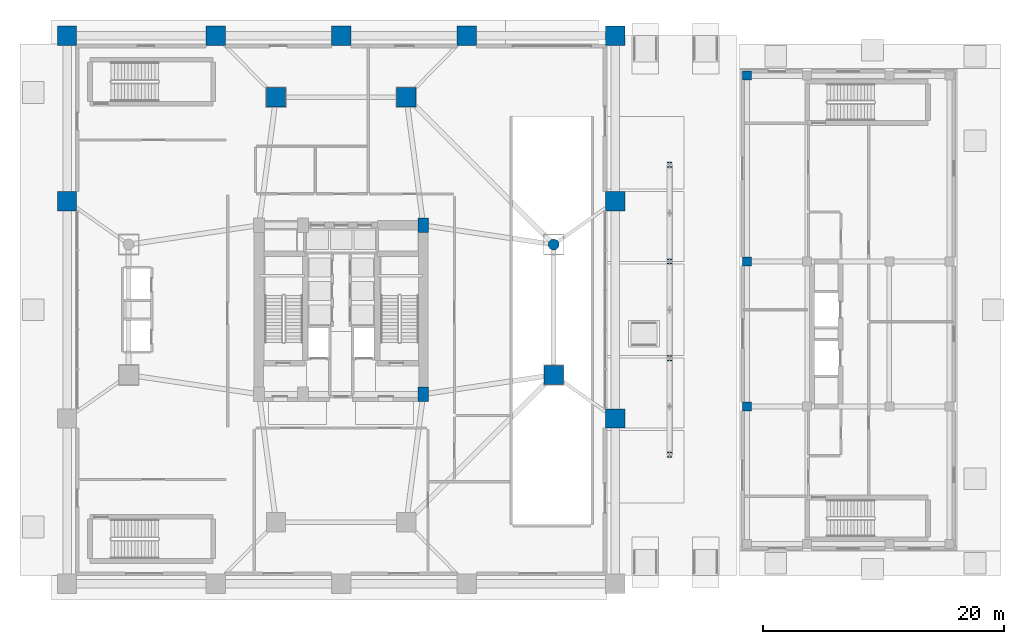
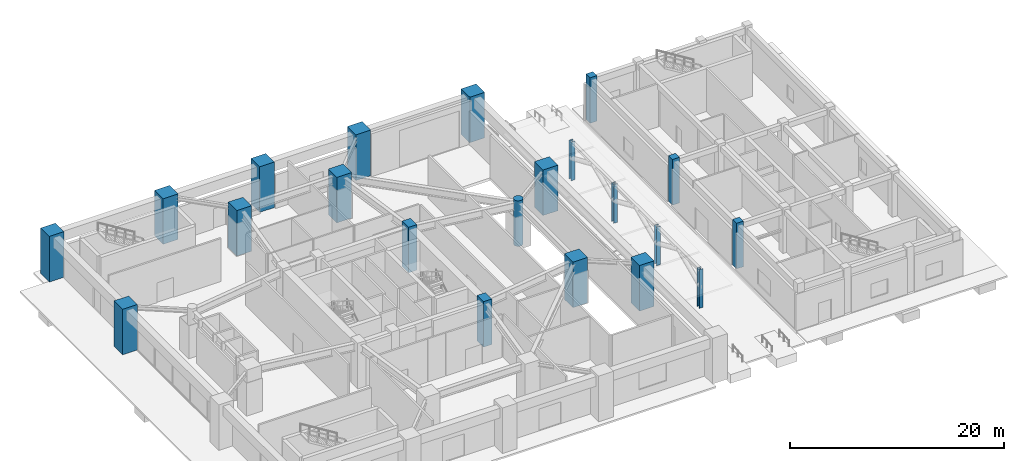
# One storey, part 2 of 27: 21 columns.
"""IFC4 building model written with IfcOpenShell, lengths in metres."""

from ifc_helpers import new_model, si_unit, direction, frame, origin, origin_2d, place, context, subcontext, project, spatial, rectangle, circle, i_section, extrude, material, material_profile, profile_set, type_object, element, save


model = new_model("IFC4")

# Units and contexts
model_context = context("Model", 3, precision=1e-05, world=origin(), true_north=direction((0.0, 1.0)))
body_context = subcontext(model_context, "Body", "Model", "MODEL_VIEW")
ifc_project = project(units=[si_unit("LENGTHUNIT", "METRE"), si_unit("AREAUNIT", "SQUARE_METRE"), si_unit("VOLUMEUNIT", "CUBIC_METRE"), si_unit("PLANEANGLEUNIT", "RADIAN"), si_unit("MASSUNIT", "GRAM", prefix="KILO")], contexts=[model_context])

# Site, building, storey
site_placement = place(None, origin())
site = spatial("IfcSite", under=ifc_project, at=site_placement, CompositionType="ELEMENT")
building_placement = place(site_placement, origin())
building = spatial("IfcBuilding", under=site, at=building_placement, Name="Veraguas Prism Commons", CompositionType="ELEMENT")
storey_placement = place(building_placement, origin())
storey = spatial("IfcBuildingStorey", under=building, at=storey_placement, Name="L00", CompositionType="ELEMENT", Elevation=0.0)

# Columns
ifc_material_1 = material(Name="Concrete C50/60", Category="concrete")
ifc_material_profile_1 = material_profile(ifc_material_1, rectangle(XDim=0.75, YDim=0.75, at=origin_2d()), Name="RC750X750")
ifc_profile_set_1 = profile_set([ifc_material_profile_1], Name="Concrete C50/60")
column_type_1 = type_object("IfcColumnType", Name="Column Clinic RC 750x750", PredefinedType="COLUMN", material=ifc_profile_set_1)
for number, where, z_axis, x_axis, name in (
    (1, (57.60009765625, 16.0, 0.0), (0.0, 0.0, 1.0), (1.0, 0.0, 0.0), "Health Centre Column L00-HC02"),
    (2, (57.60009765625, 28.0, 0.0), (0.0, 0.0, 1.0), (1.0, 0.0, 0.0), "Health Centre Column L00-HC03"),
    (3, (57.60009765625, 43.39990234375, 0.0), (0.0, 0.0, 1.0), (1.0, 0.0, 0.0), "Health Centre Column L00-HC04"),
):
    element("IfcColumn", number, at=place(storey_placement, frame(where, z_axis=z_axis, x_axis=x_axis)), inside=storey, type_object=column_type_1, Name=name, PredefinedType="COLUMN", context=body_context, shape_type="SweptSolid", body=[
        extrude(rectangle(XDim=0.75, YDim=0.75, at=origin_2d()), origin(), (0.0, 0.0, 1.0), 5.199951171875),
    ])
ifc_material_2 = material(Name="Concrete C60/75", Category="concrete")
ifc_material_profile_2 = material_profile(ifc_material_2, circle(Radius=0.449951171875, at=origin_2d()), Name="RC900DIA")
ifc_profile_set_2 = profile_set([ifc_material_profile_2], Name="Concrete C60/75")
column_type_2 = type_object("IfcColumnType", Name="Column Concourse RC D900", PredefinedType="COLUMN", material=ifc_profile_set_2)
column_placement = place(storey_placement, frame((41.60009765625, 29.39990234375, 0.0), z_axis=(0.0, 0.0, 1.0), x_axis=(1.0, 0.0, 0.0)))
element("IfcColumn", 4, at=column_placement, inside=storey, type_object=column_type_2, Name="Tower Mega Column L00-TM02", PredefinedType="COLUMN", context=body_context, shape_type="SweptSolid", body=[
    extrude(circle(Radius=0.449951171875, at=origin_2d()), origin(), (0.0, 0.0, 1.0), 5.199951171875),
])
ifc_material_3 = material(Name="Steel ASTM A992 Grade 50", Category="steel")
ifc_material_profile_3 = material_profile(ifc_material_3, i_section(OverallWidth=0.404052734375, OverallDepth=0.406982421875, WebThickness=0.025146484375, FlangeThickness=0.040283203125, at=origin_2d()), Name="W360X347")
ifc_profile_set_3 = profile_set([ifc_material_profile_3], Name="Steel ASTM A992 Grade 50")
column_type_3 = type_object("IfcColumnType", Name="Column Crown Portal W360x347", PredefinedType="COLUMN", material=ifc_profile_set_3)
for number, where, z_axis, x_axis, name in (
    (5, (51.199951171875, 12.0, 0.0), (0.0, 0.0, 1.0), (1.0, 0.0, 0.0), "Plaza Canopy Column L00-CN01"),
    (6, (51.199951171875, 20.0, 0.0), (0.0, 0.0, 1.0), (1.0, 0.0, 0.0), "Plaza Canopy Column L00-CN02"),
    (7, (51.199951171875, 28.0, 0.0), (0.0, 0.0, 1.0), (1.0, 0.0, 0.0), "Plaza Canopy Column L00-CN03"),
    (8, (51.199951171875, 36.0, 0.0), (0.0, 0.0, 1.0), (1.0, 0.0, 0.0), "Plaza Canopy Column L00-CN04"),
):
    element("IfcColumn", number, at=place(storey_placement, frame(where, z_axis=z_axis, x_axis=x_axis)), inside=storey, type_object=column_type_3, Name=name, PredefinedType="COLUMN", context=body_context, shape_type="SweptSolid", body=[
        extrude(i_section(OverallWidth=0.404052734375, OverallDepth=0.406982421875, WebThickness=0.025146484375, FlangeThickness=0.040283203125, at=origin_2d()), origin(), (0.0, 0.0, 1.0), 4.39990234375),
    ])
ifc_material_profile_4 = material_profile(ifc_material_2, rectangle(XDim=1.60009765625, YDim=1.60009765625, at=origin_2d()), Name="RC1600X1600")
ifc_profile_set_4 = profile_set([ifc_material_profile_4], Name="Concrete C60/75")
column_type_4 = type_object("IfcColumnType", Name="Column Mega RC 1600x1600", PredefinedType="COLUMN", material=ifc_profile_set_4)
for number, where, z_axis, x_axis, name in (
    (9, (46.699951171875, 15.0, 0.0), (0.0, 0.0, 1.0), (1.0, 0.0, 0.0), "Podium Mega Column L00-PD07"),
    (10, (1.300048828125, 33.0, 0.0), (0.0, 0.0, 1.0), (1.0, 0.0, 0.0), "Podium Mega Column L00-PD08"),
    (11, (46.699951171875, 33.0, 0.0), (0.0, 0.0, 1.0), (1.0, 0.0, 0.0), "Podium Mega Column L00-PD09"),
    (12, (1.300048828125, 46.699951171875, 0.0), (0.0, 0.0, 1.0), (1.0, 0.0, 0.0), "Podium Mega Column L00-PD10"),
    (13, (13.60009765625, 46.699951171875, 0.0), (0.0, 0.0, 1.0), (1.0, 0.0, 0.0), "Podium Mega Column L00-PD11"),
    (14, (24.0, 46.699951171875, 0.0), (0.0, 0.0, 1.0), (1.0, 0.0, 0.0), "Podium Mega Column L00-PD12"),
    (15, (34.39990234375, 46.699951171875, 0.0), (0.0, 0.0, 1.0), (1.0, 0.0, 0.0), "Podium Mega Column L00-PD13"),
    (16, (46.699951171875, 46.699951171875, 0.0), (0.0, 0.0, 1.0), (1.0, 0.0, 0.0), "Podium Mega Column L00-PD14"),
    (17, (41.60009765625, 18.60009765625, 0.0), (0.0, 0.0, 1.0), (1.0, 0.0, 0.0), "Tower Mega Column L00-TM01"),
    (18, (29.39990234375, 41.60009765625, 0.0), (0.0, 0.0, 1.0), (1.0, 0.0, 0.0), "Tower Mega Column L00-TM03"),
    (19, (18.60009765625, 41.60009765625, 0.0), (0.0, 0.0, 1.0), (1.0, 0.0, 0.0), "Tower Mega Column L00-TM04"),
):
    element("IfcColumn", number, at=place(storey_placement, frame(where, z_axis=z_axis, x_axis=x_axis)), inside=storey, type_object=column_type_4, Name=name, PredefinedType="COLUMN", context=body_context, shape_type="SweptSolid", body=[
        extrude(rectangle(XDim=1.60009765625, YDim=1.60009765625, at=origin_2d()), origin(), (0.0, 0.0, 1.0), 5.199951171875),
    ])
ifc_material_profile_5 = material_profile(ifc_material_2, rectangle(XDim=0.89990234375, YDim=1.199951171875, at=origin_2d()), Name="RC900X1200")
ifc_profile_set_5 = profile_set([ifc_material_profile_5], Name="Concrete C60/75")
column_type_5 = type_object("IfcColumnType", Name="Pilaster Core Lower RC 900x1200", PredefinedType="PILASTER", material=ifc_profile_set_5)
for number, where, z_axis, x_axis, name in (
    (20, (30.800048828125, 17.0, 0.0), (0.0, 0.0, 1.0), (1.0, 0.0, 0.0), "Core Pilaster Column L00-CR3"),
    (21, (30.800048828125, 31.0, 0.0), (0.0, 0.0, 1.0), (1.0, 0.0, 0.0), "Core Pilaster Column L00-CR6"),
):
    element("IfcColumn", number, at=place(storey_placement, frame(where, z_axis=z_axis, x_axis=x_axis)), inside=storey, type_object=column_type_5, Name=name, PredefinedType="PILASTER", context=body_context, shape_type="SweptSolid", body=[
        extrude(rectangle(XDim=0.89990234375, YDim=1.199951171875, at=origin_2d()), origin(), (0.0, 0.0, 1.0), 5.199951171875),
    ])

save(model, "model.ifc")
